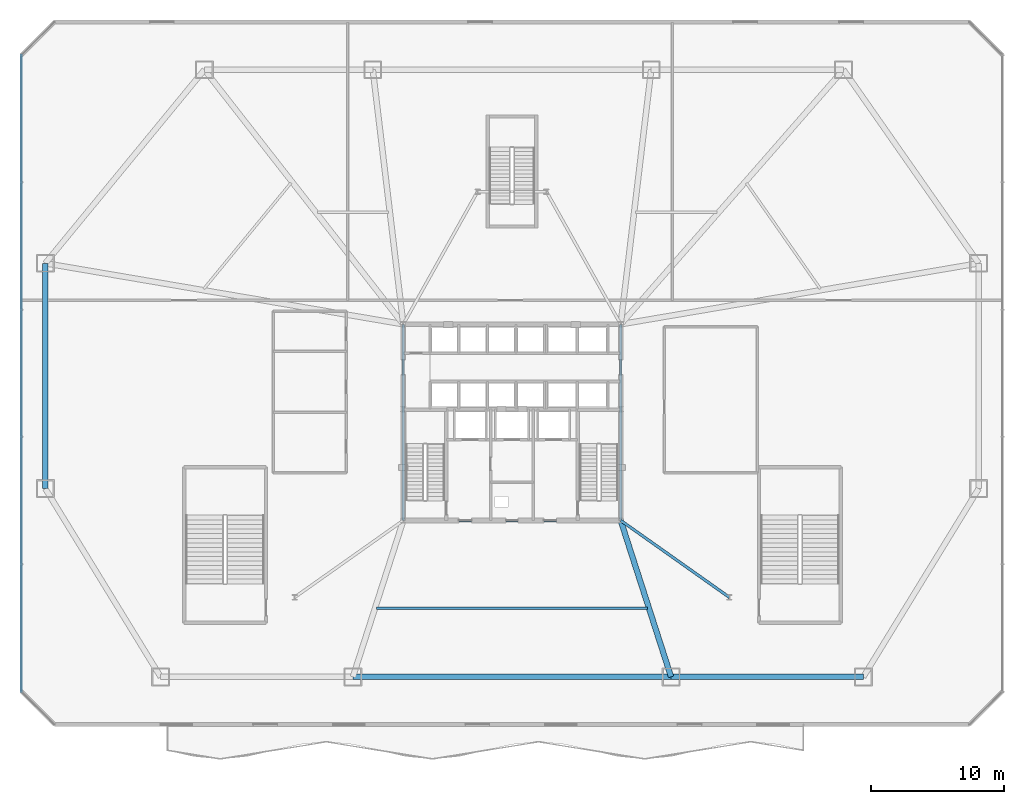
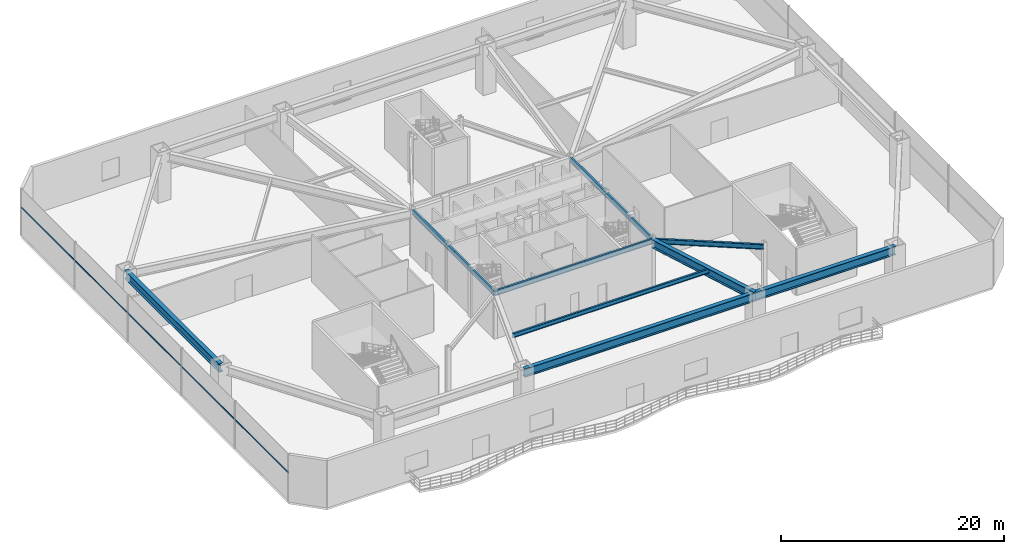
# One storey, part 6 of 20: 9 beams, 1 member, 1 element without a shape of its own.
"""IFC4 building model written with IfcOpenShell, lengths in metres."""

import ifcopenshell
import ifcopenshell.guid

model = None  # the IFC model being written
_history = None  # IfcOwnerHistory: only IFC2X3 demands one
_inside = {}  # id of a spatial element -> (the spatial element, [elements in it])
_under = {}  # id of a project, library or spatial element -> (it, [spatial elements below it])
_declared = {}  # id of a project -> (the project, [libraries it declares])
_typed = {}  # id of a type object -> (the type object, [elements of that type])
_made_of = {}  # id of a material, layer set ... -> (it, [elements and type objects made of it])


def new_model(schema):
    """Start an empty IFC model of exactly this schema.

    Asked for "IFC4X3", IfcOpenShell would pick the latest addendum, in which some entities
    have other attributes; the version numbers below select the first issue.
    IFC2X3 requires an IfcOwnerHistory on every rooted entity: one is made here for all.
    """
    global model, _history
    if schema == "IFC4X3":
        model = ifcopenshell.file(schema_version=(4, 3, 0, 0))
    else:
        model = ifcopenshell.file(schema=schema)
    _inside.clear()
    _under.clear()
    _declared.clear()
    _typed.clear()
    _made_of.clear()
    _history = None
    if model.schema == "IFC2X3":
        org = make("IfcOrganization", Name="unknown")
        user = make(
            "IfcPersonAndOrganization",
            ThePerson=make("IfcPerson", FamilyName="unknown"),
            TheOrganization=org,
        )
        app = make(
            "IfcApplication",
            ApplicationDeveloper=org,
            Version="unknown",
            ApplicationFullName="unknown",
            ApplicationIdentifier="unknown",
        )
        _history = make(
            "IfcOwnerHistory",
            OwningUser=user,
            OwningApplication=app,
            ChangeAction="ADDED",
            CreationDate=0,
        )
    return model


def make(cls, **values):
    """One entity of the class cls with the attributes given. An attribute that is None is left unset."""
    return model.create_entity(
        cls, **{name: value for name, value in values.items() if value is not None}
    )


def rooted(cls, **values):
    """An entity with a GlobalId (a new one), such as an element, a storey or a relation."""
    return make(cls, GlobalId=ifcopenshell.guid.new(), OwnerHistory=_history, **values)


def si_unit(unit_type, name, prefix=None):
    """IfcSIUnit, for example si_unit("LENGTHUNIT", "METRE", prefix="MILLI")."""
    return make("IfcSIUnit", UnitType=unit_type, Prefix=prefix, Name=name)


def assignment(units):
    """IfcUnitAssignment: the units of a project."""
    return None if units is None else make("IfcUnitAssignment", Units=units)


def point(xyz):
    """IfcCartesianPoint."""
    return None if xyz is None else make("IfcCartesianPoint", Coordinates=xyz)


def direction(xyz):
    """IfcDirection."""
    return None if xyz is None else make("IfcDirection", DirectionRatios=xyz)


def frame(location, z_axis=None, x_axis=None):
    """IfcAxis2Placement3D, a coordinate frame: its origin and axes. An axis left out is left unset."""
    return make(
        "IfcAxis2Placement3D",
        Location=point(location),
        Axis=direction(z_axis),
        RefDirection=direction(x_axis),
    )


def frame_2d(location, x_axis=None):
    """IfcAxis2Placement2D, a coordinate frame in the plane: its origin and x axis."""
    return make(
        "IfcAxis2Placement2D", Location=point(location), RefDirection=direction(x_axis)
    )


def origin():
    """The frame at (0, 0, 0) with its axes left unset."""
    return frame((0.0, 0.0, 0.0))


def origin_2d():
    """The frame at (0, 0) in the plane with its x axis left unset."""
    return frame_2d((0.0, 0.0))


def place(relative_to, where):
    """IfcLocalPlacement: puts the frame where relative to a parent placement (None: the world)."""
    return make(
        "IfcLocalPlacement", PlacementRelTo=relative_to, RelativePlacement=where
    )


def context(
    kind, dimensions, precision=None, world=None, true_north=None, identifier=None
):
    """IfcGeometricRepresentationContext, for example the 3D "Model" context."""
    return make(
        "IfcGeometricRepresentationContext",
        ContextIdentifier=identifier,
        ContextType=kind,
        CoordinateSpaceDimension=dimensions,
        Precision=precision,
        WorldCoordinateSystem=world,
        TrueNorth=true_north,
    )


def subcontext(parent, identifier, kind, view, scale=None):
    """IfcGeometricRepresentationSubContext, for example "Body" below "Model"."""
    return make(
        "IfcGeometricRepresentationSubContext",
        ContextIdentifier=identifier,
        ContextType=kind,
        ParentContext=parent,
        TargetScale=scale,
        TargetView=view,
    )


def project(units=None, contexts=None):
    """IfcProject with its units and contexts."""
    return rooted(
        "IfcProject",
        Name="project",
        RepresentationContexts=contexts,
        UnitsInContext=assignment(units),
    )


def spatial(cls, under=None, at=None, **own):
    """A site, building, storey or space (cls), placed at a placement, below another one or the project."""
    s = rooted(cls, ObjectPlacement=at, **own)
    if under is not None:
        _under.setdefault(under.id(), (under, []))[1].append(s)
    return s


def profile(cls, at=None, kind="AREA", **sizes):
    """A parametric profile (cls). Its sizes go by their IFC names, for example OverallWidth=200.0."""
    return make(cls, ProfileType=kind, Position=at, **sizes)


def rectangle(**sizes):
    """IfcRectangleProfileDef."""
    return profile("IfcRectangleProfileDef", **sizes)


def i_section(**sizes):
    """IfcIShapeProfileDef."""
    return profile("IfcIShapeProfileDef", **sizes)


def extrude(swept, where, along, depth):
    """IfcExtrudedAreaSolid: the profile swept, set in the frame where, extruded along a direction by depth."""
    return make(
        "IfcExtrudedAreaSolid",
        SweptArea=swept,
        Position=where,
        ExtrudedDirection=direction(along),
        Depth=depth,
    )


def shape(context_of_items, identifier, shape_type, items):
    """IfcShapeRepresentation: the items that make up one representation, for example the "Body"."""
    return make(
        "IfcShapeRepresentation",
        ContextOfItems=context_of_items,
        RepresentationIdentifier=identifier,
        RepresentationType=shape_type,
        Items=items,
    )


def source(mapping_origin, context_of_items, identifier, shape_type, items):
    """IfcRepresentationMap: a shape defined once, which mapped items show again and again."""
    return make(
        "IfcRepresentationMap",
        MappingOrigin=mapping_origin,
        MappedRepresentation=shape(context_of_items, identifier, shape_type, items),
    )


def transform(
    local_origin,
    x_axis=None,
    y_axis=None,
    z_axis=None,
    scale=None,
    scale2=None,
    scale3=None,
    uniform=True,
):
    """IfcCartesianTransformationOperator3D, or its non-uniform kind. x_axis, y_axis, z_axis: its Axis1, 2, 3."""
    if uniform:
        return make(
            "IfcCartesianTransformationOperator3D",
            Axis1=direction(x_axis),
            Axis2=direction(y_axis),
            LocalOrigin=point(local_origin),
            Scale=scale,
            Axis3=direction(z_axis),
        )
    return make(
        "IfcCartesianTransformationOperator3DnonUniform",
        Axis1=direction(x_axis),
        Axis2=direction(y_axis),
        LocalOrigin=point(local_origin),
        Scale=scale,
        Axis3=direction(z_axis),
        Scale2=scale2,
        Scale3=scale3,
    )


def mapped(mapping_source, mapping_target):
    """IfcMappedItem: shows the shape of a source again, moved by a transform."""
    return make(
        "IfcMappedItem", MappingSource=mapping_source, MappingTarget=mapping_target
    )


def material(Name=None, Category=None):
    """IfcMaterial."""
    return make("IfcMaterial", Name=Name, Category=Category)


def layer(
    of_material, thickness, ventilated=None, Name=None, Category=None, Priority=None
):
    """IfcMaterialLayer: one layer of a wall or slab, of a material (None: an air gap)."""
    return make(
        "IfcMaterialLayer",
        Material=of_material,
        LayerThickness=thickness,
        IsVentilated=ventilated,
        Name=Name,
        Category=Category,
        Priority=Priority,
    )


def layer_set(layers, Name=None):
    """IfcMaterialLayerSet."""
    return make("IfcMaterialLayerSet", MaterialLayers=layers, LayerSetName=Name)


def material_profile(
    of_material, cross_section, Name=None, Category=None, Priority=None
):
    """IfcMaterialProfile: a cross section and its material."""
    return make(
        "IfcMaterialProfile",
        Name=Name,
        Material=of_material,
        Profile=cross_section,
        Priority=Priority,
        Category=Category,
    )


def profile_set(profiles, Name=None, composite=None):
    """IfcMaterialProfileSet."""
    return make(
        "IfcMaterialProfileSet",
        Name=Name,
        MaterialProfiles=profiles,
        CompositeProfile=composite,
    )


def made_of(thing, what):
    """Note that an element or type object is made of a material, layer set ...; save() writes the relation."""
    if what is not None:
        _made_of.setdefault(what.id(), (what, []))[1].append(thing)
    return thing


def type_object(cls, material=None, **own):
    """A type object (cls), such as IfcWallType, which elements share."""
    return made_of(rooted(cls, **own), material)


def type_shapes(of_type, sources):
    """Give a type object the sources (RepresentationMaps) that its elements show as mapped items."""
    of_type.RepresentationMaps = sources


def element(
    cls,
    number,
    at=None,
    inside=None,
    cuts=None,
    type_object=None,
    material=None,
    context=None,
    identifier="Body",
    shape_type=None,
    held_by="IfcProductDefinitionShape",
    body=None,
    shapes=None,
    **own,
):
    """One element of the class cls, such as IfcWall. Its Tag is "e" and its number.

    at: its placement. inside: the storey or other place that contains it. cuts: it is an
    opening in that element (IfcRelVoidsElement). A single representation is given by context,
    identifier, shape_type and body (its items); several are given by shapes. held_by: the class
    of the entity that holds the representations. save() writes the other relations.
    """
    e = rooted(cls, Tag="e%d" % number, ObjectPlacement=at, **own)
    if body is not None:
        shapes = [shape(context, identifier, shape_type, body)]
    if shapes is not None:
        e.Representation = make(held_by, Representations=shapes)
    if inside is not None:
        _inside.setdefault(inside.id(), (inside, []))[1].append(e)
    if cuts is not None:
        rooted(
            "IfcRelVoidsElement", RelatingBuildingElement=cuts, RelatedOpeningElement=e
        )
    if type_object is not None:
        _typed.setdefault(type_object.id(), (type_object, []))[1].append(e)
    return made_of(e, material)


def aggregate(whole, parts):
    """IfcRelAggregates: a whole, such as a stair, and the parts it consists of."""
    return rooted("IfcRelAggregates", RelatingObject=whole, RelatedObjects=parts)


def save(model, path):
    """Write the relations noted so far, then the file.

    IfcRelAggregates (storeys below a building ...), IfcRelContainedInSpatialStructure (elements
    in a storey), IfcRelDefinesByType, IfcRelAssociatesMaterial and IfcRelDeclares: one each for
    every whole, place, type object, material and project.
    """
    for whole, parts in _under.values():
        aggregate(whole, parts)
    for where, things in _inside.values():
        rooted(
            "IfcRelContainedInSpatialStructure",
            RelatedElements=things,
            RelatingStructure=where,
        )
    for kind, things in _typed.values():
        rooted("IfcRelDefinesByType", RelatedObjects=things, RelatingType=kind)
    for what, things in _made_of.values():
        rooted("IfcRelAssociatesMaterial", RelatedObjects=things, RelatingMaterial=what)
    for by, libraries in _declared.values():
        rooted("IfcRelDeclares", RelatingContext=by, RelatedDefinitions=libraries)
    model.write(path)


model = new_model("IFC4")

# Units and contexts
model_context = context("Model", 3, precision=1e-05, world=origin(), true_north=direction((0.0, 1.0)))
body_context = subcontext(model_context, "Body", "Model", "MODEL_VIEW")
ifc_project = project(units=[si_unit("LENGTHUNIT", "METRE"), si_unit("AREAUNIT", "SQUARE_METRE"), si_unit("VOLUMEUNIT", "CUBIC_METRE"), si_unit("PLANEANGLEUNIT", "RADIAN"), si_unit("MASSUNIT", "GRAM", prefix="KILO")], contexts=[model_context])

# Site, building, storey
site_placement = place(None, origin())
site = spatial("IfcSite", under=ifc_project, at=site_placement, CompositionType="ELEMENT")
building_placement = place(site_placement, origin())
building = spatial("IfcBuilding", under=site, at=building_placement, Name="Varakhsha Concourse Tower", CompositionType="ELEMENT")
storey_placement = place(building_placement, frame((0.0, 0.0, 11.0)))
storey = spatial("IfcBuildingStorey", under=building, at=storey_placement, Name="L03", CompositionType="ELEMENT", Elevation=11.0)

# Beams
ifc_material_1 = material(Name="Structural Steel ASTM A992 Grade 50", Category="steel")
ifc_material_profile_1 = material_profile(ifc_material_1, i_section(OverallWidth=0.41796875, OverallDepth=0.927001953125, WebThickness=0.030029296875, FlangeThickness=0.051025390625, at=origin_2d()), Name="W36X231")
ifc_profile_set_1 = profile_set([ifc_material_profile_1], Name="Structural Steel ASTM A992 Grade 50")
beam_type_1 = type_object("IfcBeamType", Name="BM-HALL-W36X231", PredefinedType="USERDEFINED", material=ifc_profile_set_1)
beam_1_placement = place(storey_placement, frame((28.0, 4.60009765625, 4.716552734375), z_axis=(1.0, 0.0, 0.0), x_axis=(0.0, 1.0, 0.0)))
element("IfcBeam", 1, at=beam_1_placement, inside=storey, type_object=beam_type_1, Name="BM-PRING-L03-02", ObjectType="GIRDER", PredefinedType="USERDEFINED", context=body_context, shape_type="SweptSolid", body=[
    extrude(i_section(OverallWidth=0.41796875, OverallDepth=0.927001953125, WebThickness=0.030029296875, FlangeThickness=0.051025390625, at=origin_2d()), origin(), (0.0, 0.0, 1.0), 24.0),
])
beam_2_placement = place(storey_placement, frame((52.0, 4.60009765625, 4.716552734375), z_axis=(1.0, 0.0, 0.0), x_axis=(0.0, 1.0, 0.0)))
element("IfcBeam", 2, at=beam_2_placement, inside=storey, type_object=beam_type_1, Name="BM-PRING-L03-03", ObjectType="GIRDER", PredefinedType="USERDEFINED", context=body_context, shape_type="SweptSolid", body=[
    extrude(i_section(OverallWidth=0.41796875, OverallDepth=0.927001953125, WebThickness=0.030029296875, FlangeThickness=0.051025390625, at=origin_2d()), origin(), (0.0, 0.0, 1.0), 14.5),
])
beam_3_placement = place(storey_placement, frame((4.800048828125, 35.800048828125, 4.716552734375), z_axis=(0.0, -1.0, 0.0), x_axis=(1.0, 0.0, 0.0)))
element("IfcBeam", 3, at=beam_3_placement, inside=storey, type_object=beam_type_1, Name="BM-PRING-L03-11", ObjectType="GIRDER", PredefinedType="USERDEFINED", context=body_context, shape_type="SweptSolid", body=[
    extrude(i_section(OverallWidth=0.41796875, OverallDepth=0.927001953125, WebThickness=0.030029296875, FlangeThickness=0.051025390625, at=origin_2d()), origin(), (0.0, 0.0, 1.0), 17.0),
])
beam_4_placement = place(storey_placement, frame((48.199951171875, 16.39990234375, 4.716552734375), z_axis=(0.306539531823, -0.951857928175, 0.0), x_axis=(0.951857928175, 0.306539531823, 0.0)))
element("IfcBeam", 4, at=beam_4_placement, inside=storey, type_object=beam_type_1, Name="BM-PRAD-L03-03", ObjectType="GIRDER", PredefinedType="USERDEFINED", context=body_context, shape_type="SweptSolid", body=[
    extrude(i_section(OverallWidth=0.41796875, OverallDepth=0.927001953125, WebThickness=0.030029296875, FlangeThickness=0.051025390625, at=origin_2d()), origin(), (0.0, 0.0, 1.0), 12.396484375),
])
ifc_material_profile_2 = material_profile(ifc_material_1, i_section(OverallWidth=0.19091796875, OverallDepth=0.45703125, WebThickness=0.009033203125, FlangeThickness=0.013916015625, at=origin_2d()), Name="W18X50")
ifc_profile_set_2 = profile_set([ifc_material_profile_2], Name="Structural Steel ASTM A992 Grade 50")
beam_type_2 = type_object("IfcBeamType", Name="BM-JST-W18X50", PredefinedType="JOIST", material=ifc_profile_set_2)
beam_5_placement = place(storey_placement, frame((29.7919921875, 9.7919921875, 4.951416015625), z_axis=(1.0, 0.0, 0.0), x_axis=(0.0, 1.0, 0.0)))
element("IfcBeam", 5, at=beam_5_placement, inside=storey, type_object=beam_type_2, Name="BM-PJST-L03-02", PredefinedType="JOIST", context=body_context, shape_type="SweptSolid", body=[
    extrude(i_section(OverallWidth=0.19091796875, OverallDepth=0.45703125, WebThickness=0.009033203125, FlangeThickness=0.013916015625, at=origin_2d()), origin(), (0.0, 0.0, 1.0), 20.416015625),
])
ifc_material_profile_3 = material_profile(ifc_material_1, i_section(OverallWidth=0.2109375, OverallDepth=0.5390625, WebThickness=0.011962890625, FlangeThickness=0.01904296875, at=origin_2d()), Name="W21X73")
ifc_profile_set_3 = profile_set([ifc_material_profile_3], Name="Structural Steel ASTM A992 Grade 50")
beam_type_3 = type_object("IfcBeamType", Name="BM-RAD-W21X73", PredefinedType="BEAM", material=ifc_profile_set_3)
beam_6_placement = place(storey_placement, frame((31.800048828125, 16.39990234375, 4.910400390625), z_axis=(1.0, 0.0, 0.0), x_axis=(0.0, 1.0, 0.0)))
element("IfcBeam", 6, at=beam_6_placement, inside=storey, type_object=beam_type_3, Name="BM-CORE-L03-CS", PredefinedType="BEAM", context=body_context, shape_type="SweptSolid", body=[
    extrude(i_section(OverallWidth=0.2109375, OverallDepth=0.5390625, WebThickness=0.011962890625, FlangeThickness=0.01904296875, at=origin_2d()), origin(), (0.0, 0.0, 1.0), 16.39990234375),
])
for number, where, z_axis, x_axis, name in (
    (7, (31.800048828125, 16.39990234375, 4.910400390625), (0.0, 1.0, 0.0), (-1.0, 0.0, 0.0), "BM-CORE-L03-CW"),
    (8, (48.199951171875, 16.39990234375, 4.910400390625), (0.0, 1.0, 0.0), (-1.0, 0.0, 0.0), "BM-CORE-L03-CE"),
):
    element("IfcBeam", number, at=place(storey_placement, frame(where, z_axis=z_axis, x_axis=x_axis)), inside=storey, type_object=beam_type_3, Name=name, PredefinedType="BEAM", context=body_context, shape_type="SweptSolid", body=[
        extrude(i_section(OverallWidth=0.2109375, OverallDepth=0.5390625, WebThickness=0.011962890625, FlangeThickness=0.01904296875, at=origin_2d()), origin(), (0.0, 0.0, 1.0), 14.800048828125),
    ])
beam_7_placement = place(storey_placement, frame((48.199951171875, 16.39990234375, 4.910400390625), z_axis=(0.816423186202, -0.577454051014, 0.0), x_axis=(0.577454051014, 0.816423186202, 0.0)))
element("IfcBeam", 9, at=beam_7_placement, inside=storey, type_object=beam_type_3, Name="BM-CORE-L03-SSE", PredefinedType="BEAM", context=body_context, shape_type="SweptSolid", body=[
    extrude(i_section(OverallWidth=0.2109375, OverallDepth=0.5390625, WebThickness=0.011962890625, FlangeThickness=0.01904296875, at=origin_2d()), origin(), (0.0, 0.0, 1.0), 10.043701171875),
])

# Curtain wall, member
ifc_material_2 = material(Name="Anodised Bronze Architectural Aluminium AA 6063-T6", Category="aluminium")
ifc_layer = layer(ifc_material_2, 0.239990234375, Name="CW-SYS-01")
ifc_layer_set = layer_set([ifc_layer], Name="Anodised Bronze Architectural Aluminium AA 6063-T6")
curtain_wall_type = type_object("IfcCurtainWallType", Name="CW-SYS-01", PredefinedType="NOTDEFINED", material=ifc_layer_set)
curtain_wall_placement = place(storey_placement, origin())
curtain_wall = element("IfcCurtainWall", 10, at=curtain_wall_placement, inside=storey, type_object=curtain_wall_type, Name="L03 Podium Curtain Wall 07", PredefinedType="NOTDEFINED")
ifc_material_profile_4 = material_profile(ifc_material_2, rectangle(XDim=0.06494140625, YDim=0.159912109375, at=origin_2d()), Name="CWT-160X65")
ifc_profile_set_4 = profile_set([ifc_material_profile_4], Name="Anodised Bronze Architectural Aluminium AA 6063-T6")
member_type = type_object("IfcMemberType", Name="CWT-160X65", PredefinedType="USERDEFINED", material=ifc_profile_set_4)
shared_shape = source(origin(), body_context, "Body", "SweptSolid", [
    extrude(rectangle(XDim=0.06494140625, YDim=0.159912109375, at=origin_2d()), origin(), (0.0, 0.0, 1.0), 48.0),
])
type_shapes(member_type, [shared_shape])
member_placement = place(storey_placement, frame((3.0, 51.5, 3.10009765625), z_axis=(0.0, -1.0, 0.0), x_axis=(1.0, 0.0, 0.0)))
member = element("IfcMember", 11, at=member_placement, type_object=member_type, Name="CW-POD-L03-07 Transom 01", ObjectType="TRANSOM", PredefinedType="USERDEFINED", context=body_context, shape_type="MappedRepresentation", body=[
    mapped(shared_shape, transform((0.0, 0.0, 0.0), scale=1.0)),
])
aggregate(curtain_wall, [member])

save(model, "model.ifc")
